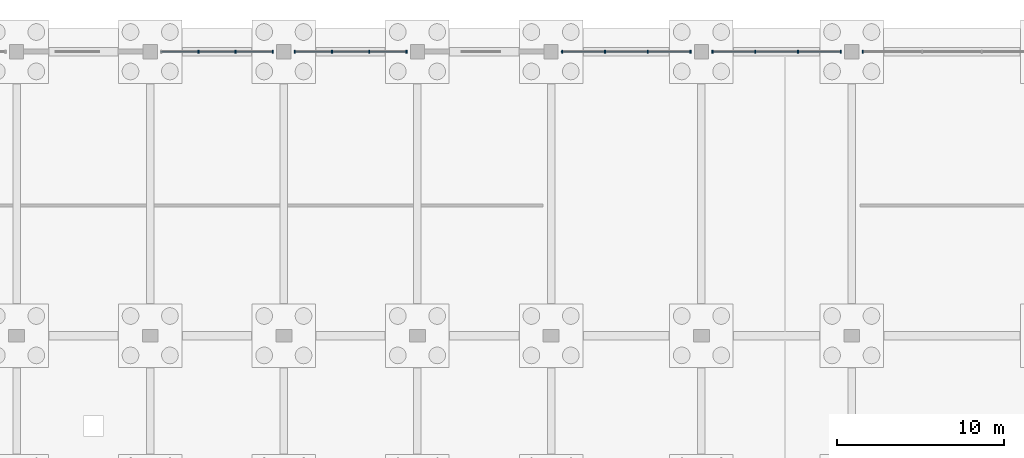
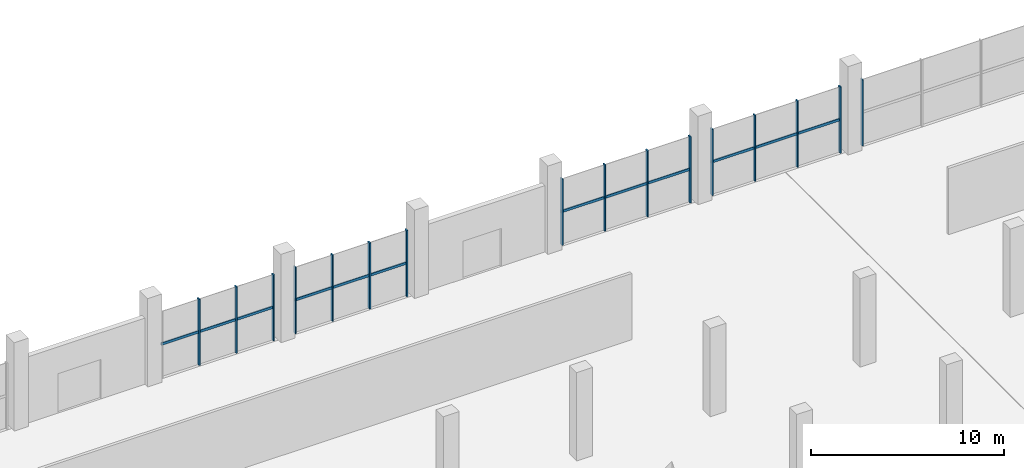
# One storey, part 59 of 98: 20 members, 5 elements without a shape of their own.
"""IFC4 building model written with IfcOpenShell, lengths in metres."""

from ifc_helpers import new_model, si_unit, derived_unit, direction, frame, origin, origin_2d, place, context, subcontext, project, spatial, rectangle, extrude, material, layer, layer_set, material_profile, profile_set, type_object, element, aggregate, save


model = new_model("IFC4")

# Units and contexts
model_context = context("Model", 3, precision=1e-05, world=origin(), true_north=direction((0.0, 1.0)))
body_context = subcontext(model_context, "Body", "Model", "MODEL_VIEW")
ifc_project = project(units=[si_unit("LENGTHUNIT", "METRE"), si_unit("AREAUNIT", "SQUARE_METRE"), si_unit("VOLUMEUNIT", "CUBIC_METRE"), si_unit("PLANEANGLEUNIT", "RADIAN"), si_unit("MASSUNIT", "GRAM", prefix="KILO"), si_unit("THERMODYNAMICTEMPERATUREUNIT", "KELVIN"), derived_unit("THERMALTRANSMITTANCEUNIT", [(si_unit("POWERUNIT", "WATT"), 1), (si_unit("AREAUNIT", "SQUARE_METRE"), -1), (si_unit("THERMODYNAMICTEMPERATUREUNIT", "KELVIN"), -1)])], contexts=[model_context])

# Site, building, storey
site_placement = place(None, origin())
site = spatial("IfcSite", under=ifc_project, at=site_placement, CompositionType="ELEMENT")
building_placement = place(site_placement, origin())
building = spatial("IfcBuilding", under=site, at=building_placement, Name="Haiyu Intermodal Mobility Hub", CompositionType="ELEMENT")
storey_placement = place(building_placement, origin())
storey = spatial("IfcBuildingStorey", under=building, at=storey_placement, Name="L00", CompositionType="ELEMENT", Elevation=0.0)

# Curtain wall, members
ifc_material_1 = material(Name="Low-e laminated insulating glass", Category="glass")
ifc_layer = layer(ifc_material_1, 0.219970703125)
ifc_layer_set = layer_set([ifc_layer], Name="Low-e laminated insulating glass")
curtain_wall_type = type_object("IfcCurtainWallType", Name="CW-CW01", PredefinedType="NOTDEFINED", material=ifc_layer_set)
curtain_wall_1_placement = place(storey_placement, origin())
curtain_wall_1 = element("IfcCurtainWall", 1, at=curtain_wall_1_placement, inside=storey, type_object=curtain_wall_type, Name="Curtain Wall CW-V4N-L00-040", PredefinedType="NOTDEFINED")
ifc_material_2 = material(Name="Anodised aluminium 6063-T6", Category="aluminium")
ifc_material_profile_1 = material_profile(ifc_material_2, rectangle(XDim=0.074951171875, YDim=0.199951171875, at=origin_2d()), Name="ALU75x200")
ifc_profile_set_1 = profile_set([ifc_material_profile_1], Name="Anodised aluminium 6063-T6")
member_type_1 = type_object("IfcMemberType", Name="CWM-ML01", PredefinedType="MULLION", material=ifc_profile_set_1)
member_1_placement = place(storey_placement, frame((61.340087890625, 148.0, 0.0), z_axis=(0.0, 0.0, 1.0), x_axis=(1.0, 0.0, 0.0)))
member_1 = element("IfcMember", 2, at=member_1_placement, type_object=member_type_1, Name="CW-V4N-L00-040-ML01", PredefinedType="MULLION", context=body_context, shape_type="SweptSolid", body=[
    extrude(rectangle(XDim=0.074951171875, YDim=0.199951171875, at=origin_2d()), origin(), (0.0, 0.0, 1.0), 4.199951171875),
])
member_2_placement = place(storey_placement, frame((59.113037109375, 148.0, 0.0), z_axis=(0.0, 0.0, 1.0), x_axis=(1.0, 0.0, 0.0)))
member_2 = element("IfcMember", 3, at=member_2_placement, type_object=member_type_1, Name="CW-V4N-L00-040-ML02", PredefinedType="MULLION", context=body_context, shape_type="SweptSolid", body=[
    extrude(rectangle(XDim=0.074951171875, YDim=0.199951171875, at=origin_2d()), origin(), (0.0, 0.0, 1.0), 4.199951171875),
])
member_3_placement = place(storey_placement, frame((56.886962890625, 148.0, 0.0), z_axis=(0.0, 0.0, 1.0), x_axis=(1.0, 0.0, 0.0)))
member_3 = element("IfcMember", 4, at=member_3_placement, type_object=member_type_1, Name="CW-V4N-L00-040-ML03", PredefinedType="MULLION", context=body_context, shape_type="SweptSolid", body=[
    extrude(rectangle(XDim=0.074951171875, YDim=0.199951171875, at=origin_2d()), origin(), (0.0, 0.0, 1.0), 4.199951171875),
])

curtain_wall_2_placement = place(storey_placement, origin())
curtain_wall_2 = element("IfcCurtainWall", 5, at=curtain_wall_2_placement, inside=storey, type_object=curtain_wall_type, Name="Curtain Wall CW-V4N-L00-041", PredefinedType="NOTDEFINED")
member_4_placement = place(storey_placement, frame((69.340087890625, 148.0, 0.0), z_axis=(0.0, 0.0, 1.0), x_axis=(1.0, 0.0, 0.0)))
member_4 = element("IfcMember", 6, at=member_4_placement, type_object=member_type_1, Name="CW-V4N-L00-041-ML01", PredefinedType="MULLION", context=body_context, shape_type="SweptSolid", body=[
    extrude(rectangle(XDim=0.074951171875, YDim=0.199951171875, at=origin_2d()), origin(), (0.0, 0.0, 1.0), 4.199951171875),
])
member_5_placement = place(storey_placement, frame((67.113037109375, 148.0, 0.0), z_axis=(0.0, 0.0, 1.0), x_axis=(1.0, 0.0, 0.0)))
member_5 = element("IfcMember", 7, at=member_5_placement, type_object=member_type_1, Name="CW-V4N-L00-041-ML02", PredefinedType="MULLION", context=body_context, shape_type="SweptSolid", body=[
    extrude(rectangle(XDim=0.074951171875, YDim=0.199951171875, at=origin_2d()), origin(), (0.0, 0.0, 1.0), 4.199951171875),
])
member_6_placement = place(storey_placement, frame((64.886962890625, 148.0, 0.0), z_axis=(0.0, 0.0, 1.0), x_axis=(1.0, 0.0, 0.0)))
member_6 = element("IfcMember", 8, at=member_6_placement, type_object=member_type_1, Name="CW-V4N-L00-041-ML03", PredefinedType="MULLION", context=body_context, shape_type="SweptSolid", body=[
    extrude(rectangle(XDim=0.074951171875, YDim=0.199951171875, at=origin_2d()), origin(), (0.0, 0.0, 1.0), 4.199951171875),
])
member_7_placement = place(storey_placement, frame((62.659912109375, 148.0, 0.0), z_axis=(0.0, 0.0, 1.0), x_axis=(1.0, 0.0, 0.0)))
member_7 = element("IfcMember", 9, at=member_7_placement, type_object=member_type_1, Name="CW-V4N-L00-041-ML04", PredefinedType="MULLION", context=body_context, shape_type="SweptSolid", body=[
    extrude(rectangle(XDim=0.074951171875, YDim=0.199951171875, at=origin_2d()), origin(), (0.0, 0.0, 1.0), 4.199951171875),
])

curtain_wall_3_placement = place(storey_placement, origin())
curtain_wall_3 = element("IfcCurtainWall", 10, at=curtain_wall_3_placement, inside=storey, type_object=curtain_wall_type, Name="Curtain Wall CW-V4N-L00-042", PredefinedType="NOTDEFINED")
member_8_placement = place(storey_placement, frame((86.340087890625, 148.0, 0.0), z_axis=(0.0, 0.0, 1.0), x_axis=(1.0, 0.0, 0.0)))
member_8 = element("IfcMember", 11, at=member_8_placement, type_object=member_type_1, Name="CW-V4N-L00-042-ML01", PredefinedType="MULLION", context=body_context, shape_type="SweptSolid", body=[
    extrude(rectangle(XDim=0.074951171875, YDim=0.199951171875, at=origin_2d()), origin(), (0.0, 0.0, 1.0), 4.199951171875),
])
member_9_placement = place(storey_placement, frame((83.780029296875, 148.0, 0.0), z_axis=(0.0, 0.0, 1.0), x_axis=(1.0, 0.0, 0.0)))
member_9 = element("IfcMember", 12, at=member_9_placement, type_object=member_type_1, Name="CW-V4N-L00-042-ML02", PredefinedType="MULLION", context=body_context, shape_type="SweptSolid", body=[
    extrude(rectangle(XDim=0.074951171875, YDim=0.199951171875, at=origin_2d()), origin(), (0.0, 0.0, 1.0), 4.199951171875),
])
member_10_placement = place(storey_placement, frame((81.219970703125, 148.0, 0.0), z_axis=(0.0, 0.0, 1.0), x_axis=(1.0, 0.0, 0.0)))
member_10 = element("IfcMember", 13, at=member_10_placement, type_object=member_type_1, Name="CW-V4N-L00-042-ML03", PredefinedType="MULLION", context=body_context, shape_type="SweptSolid", body=[
    extrude(rectangle(XDim=0.074951171875, YDim=0.199951171875, at=origin_2d()), origin(), (0.0, 0.0, 1.0), 4.199951171875),
])
member_11_placement = place(storey_placement, frame((78.659912109375, 148.0, 0.0), z_axis=(0.0, 0.0, 1.0), x_axis=(1.0, 0.0, 0.0)))
member_11 = element("IfcMember", 14, at=member_11_placement, type_object=member_type_1, Name="CW-V4N-L00-042-ML04", PredefinedType="MULLION", context=body_context, shape_type="SweptSolid", body=[
    extrude(rectangle(XDim=0.074951171875, YDim=0.199951171875, at=origin_2d()), origin(), (0.0, 0.0, 1.0), 4.199951171875),
])

curtain_wall_4_placement = place(storey_placement, origin())
curtain_wall_4 = element("IfcCurtainWall", 15, at=curtain_wall_4_placement, inside=storey, type_object=curtain_wall_type, Name="Curtain Wall CW-V4N-L00-043", PredefinedType="NOTDEFINED")
member_12_placement = place(storey_placement, frame((95.340087890625, 148.0, 0.0), z_axis=(0.0, 0.0, 1.0), x_axis=(1.0, 0.0, 0.0)))
member_12 = element("IfcMember", 16, at=member_12_placement, type_object=member_type_1, Name="CW-V4N-L00-043-ML01", PredefinedType="MULLION", context=body_context, shape_type="SweptSolid", body=[
    extrude(rectangle(XDim=0.074951171875, YDim=0.199951171875, at=origin_2d()), origin(), (0.0, 0.0, 1.0), 4.199951171875),
])
member_13_placement = place(storey_placement, frame((92.780029296875, 148.0, 0.0), z_axis=(0.0, 0.0, 1.0), x_axis=(1.0, 0.0, 0.0)))
member_13 = element("IfcMember", 17, at=member_13_placement, type_object=member_type_1, Name="CW-V4N-L00-043-ML02", PredefinedType="MULLION", context=body_context, shape_type="SweptSolid", body=[
    extrude(rectangle(XDim=0.074951171875, YDim=0.199951171875, at=origin_2d()), origin(), (0.0, 0.0, 1.0), 4.199951171875),
])
member_14_placement = place(storey_placement, frame((90.219970703125, 148.0, 0.0), z_axis=(0.0, 0.0, 1.0), x_axis=(1.0, 0.0, 0.0)))
member_14 = element("IfcMember", 18, at=member_14_placement, type_object=member_type_1, Name="CW-V4N-L00-043-ML03", PredefinedType="MULLION", context=body_context, shape_type="SweptSolid", body=[
    extrude(rectangle(XDim=0.074951171875, YDim=0.199951171875, at=origin_2d()), origin(), (0.0, 0.0, 1.0), 4.199951171875),
])
member_15_placement = place(storey_placement, frame((87.659912109375, 148.0, 0.0), z_axis=(0.0, 0.0, 1.0), x_axis=(1.0, 0.0, 0.0)))
member_15 = element("IfcMember", 19, at=member_15_placement, type_object=member_type_1, Name="CW-V4N-L00-043-ML04", PredefinedType="MULLION", context=body_context, shape_type="SweptSolid", body=[
    extrude(rectangle(XDim=0.074951171875, YDim=0.199951171875, at=origin_2d()), origin(), (0.0, 0.0, 1.0), 4.199951171875),
])

# Curtain wall, member
curtain_wall_5_placement = place(storey_placement, origin())
curtain_wall_5 = element("IfcCurtainWall", 20, at=curtain_wall_5_placement, inside=storey, type_object=curtain_wall_type, Name="Curtain Wall CW-V4N-L00-044", PredefinedType="NOTDEFINED")
member_16_placement = place(storey_placement, frame((96.659912109375, 148.0, 0.0), z_axis=(0.0, 0.0, 1.0), x_axis=(1.0, 0.0, 0.0)))
member_16 = element("IfcMember", 21, at=member_16_placement, type_object=member_type_1, Name="CW-V4N-L00-044-ML04", PredefinedType="MULLION", context=body_context, shape_type="SweptSolid", body=[
    extrude(rectangle(XDim=0.074951171875, YDim=0.199951171875, at=origin_2d()), origin(), (0.0, 0.0, 1.0), 4.199951171875),
])
aggregate(curtain_wall_5, [member_16])

# Member
ifc_material_profile_2 = material_profile(ifc_material_2, rectangle(XDim=0.074951171875, YDim=0.159912109375, at=origin_2d()), Name="ALU75x160")
ifc_profile_set_2 = profile_set([ifc_material_profile_2], Name="Anodised aluminium 6063-T6")
member_type_2 = type_object("IfcMemberType", Name="CWM-TR01", PredefinedType="USERDEFINED", material=ifc_profile_set_2)
member_17_placement = place(storey_placement, frame((61.3798828125, 148.0, 2.10009765625), z_axis=(-1.0, 0.0, 0.0), x_axis=(0.0, -1.0, 0.0)))
member_17 = element("IfcMember", 22, at=member_17_placement, type_object=member_type_2, Name="CW-V4N-L00-040-TR01", ObjectType="TRANSOM", PredefinedType="USERDEFINED", context=body_context, shape_type="SweptSolid", body=[
    extrude(rectangle(XDim=0.074951171875, YDim=0.159912109375, at=origin_2d()), origin(), (0.0, 0.0, 1.0), 6.759765625),
])

aggregate(curtain_wall_1, [member_1, member_2, member_3, member_17])

member_18_placement = place(storey_placement, frame((69.3798828125, 148.0, 2.10009765625), z_axis=(-1.0, 0.0, 0.0), x_axis=(0.0, -1.0, 0.0)))
member_18 = element("IfcMember", 23, at=member_18_placement, type_object=member_type_2, Name="CW-V4N-L00-041-TR01", ObjectType="TRANSOM", PredefinedType="USERDEFINED", context=body_context, shape_type="SweptSolid", body=[
    extrude(rectangle(XDim=0.074951171875, YDim=0.159912109375, at=origin_2d()), origin(), (0.0, 0.0, 1.0), 6.759765625),
])

aggregate(curtain_wall_2, [member_4, member_5, member_6, member_7, member_18])

member_19_placement = place(storey_placement, frame((86.3798828125, 148.0, 2.10009765625), z_axis=(-1.0, 0.0, 0.0), x_axis=(0.0, -1.0, 0.0)))
member_19 = element("IfcMember", 24, at=member_19_placement, type_object=member_type_2, Name="CW-V4N-L00-042-TR01", ObjectType="TRANSOM", PredefinedType="USERDEFINED", context=body_context, shape_type="SweptSolid", body=[
    extrude(rectangle(XDim=0.074951171875, YDim=0.159912109375, at=origin_2d()), origin(), (0.0, 0.0, 1.0), 7.759765625),
])

aggregate(curtain_wall_3, [member_8, member_9, member_10, member_11, member_19])

member_20_placement = place(storey_placement, frame((95.3798828125, 148.0, 2.10009765625), z_axis=(-1.0, 0.0, 0.0), x_axis=(0.0, -1.0, 0.0)))
member_20 = element("IfcMember", 25, at=member_20_placement, type_object=member_type_2, Name="CW-V4N-L00-043-TR01", ObjectType="TRANSOM", PredefinedType="USERDEFINED", context=body_context, shape_type="SweptSolid", body=[
    extrude(rectangle(XDim=0.074951171875, YDim=0.159912109375, at=origin_2d()), origin(), (0.0, 0.0, 1.0), 7.759765625),
])

aggregate(curtain_wall_4, [member_12, member_13, member_14, member_15, member_20])

save(model, "model.ifc")
